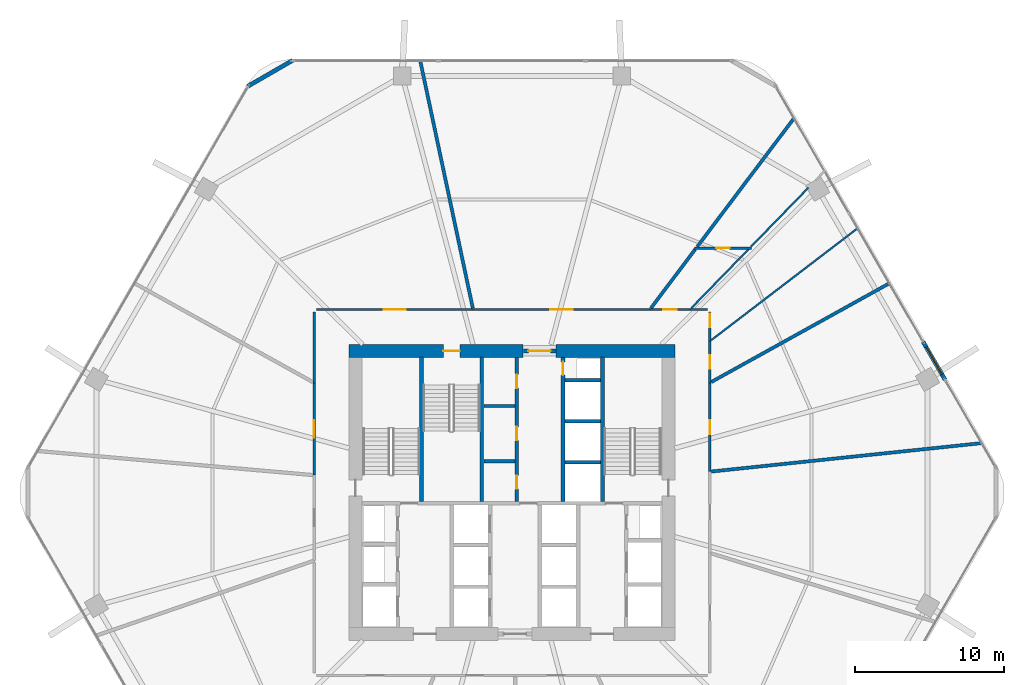
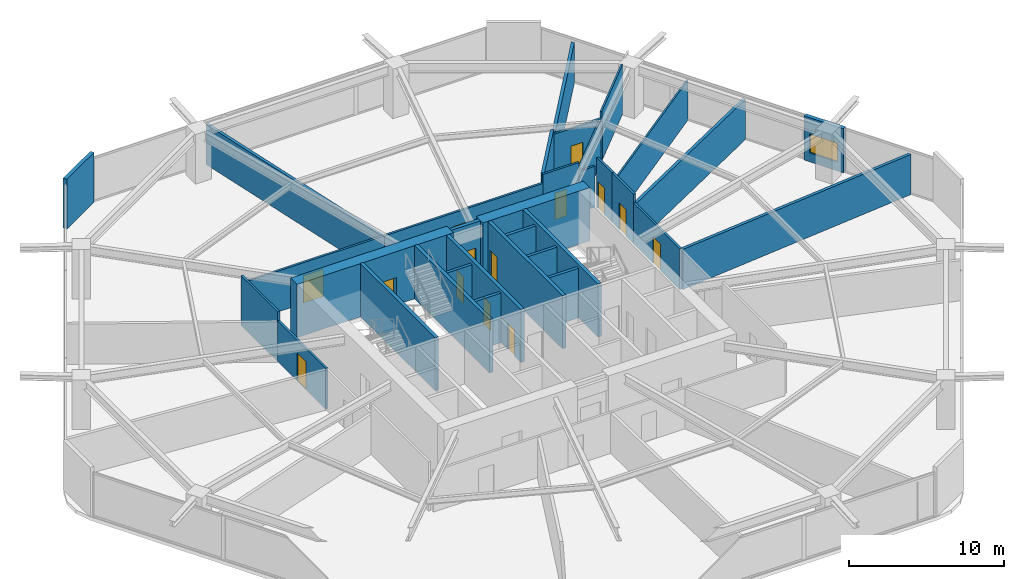
# One storey, part 23 of 25: 33 walls, 14 doors, 1 window, 15 openings.
"""IFC4 building model written with IfcOpenShell, lengths in metres."""

from ifc_helpers import new_model, si_unit, direction, frame, frame_2d, origin, place, context, subcontext, project, spatial, rectangle, extrude, material, layer, layer_set, type_object, element, fill, save


model = new_model("IFC4")

# Units and contexts
model_context = context("Model", 3, precision=1e-05, world=origin(), true_north=direction((0.0, 1.0)))
body_context = subcontext(model_context, "Body", "Model", "MODEL_VIEW")
ifc_project = project(units=[si_unit("LENGTHUNIT", "METRE"), si_unit("AREAUNIT", "SQUARE_METRE"), si_unit("VOLUMEUNIT", "CUBIC_METRE"), si_unit("PLANEANGLEUNIT", "RADIAN"), si_unit("MASSUNIT", "GRAM", prefix="KILO")], contexts=[model_context])

# Site, building, storey
site_placement = place(None, origin())
site = spatial("IfcSite", under=ifc_project, at=site_placement, CompositionType="ELEMENT")
building_placement = place(site_placement, origin())
building = spatial("IfcBuilding", under=site, at=building_placement, Name="Zuhravey Tower", CompositionType="ELEMENT")
storey_placement = place(building_placement, frame((0.0, 0.0, 62.39990234375)))
storey = spatial("IfcBuildingStorey", under=building, at=storey_placement, Name="L15", CompositionType="ELEMENT", Elevation=62.39990234375)

# Wall
ifc_material_1 = material(Name="Concrete C60/75", Category="concrete")
ifc_layer_1 = layer(ifc_material_1, 0.85009765625)
ifc_layer_set_1 = layer_set([ifc_layer_1], Name="Concrete C60/75")
wall_type_1 = type_object("IfcWallType", Name="Core Shear Wall 850", PredefinedType="SHEAR", material=ifc_layer_set_1)
wall_1_placement = place(storey_placement, frame((46.925048828125, 41.5, 0.0), z_axis=(0.0, 0.0, 1.0), x_axis=(-1.0, 0.0, 0.0)))
element("IfcWall", 1, at=wall_1_placement, inside=storey, type_object=wall_type_1, Name="L15 North-East Core Shear Wall CW85", PredefinedType="SHEAR", context=body_context, shape_type="SweptSolid", body=[
    extrude(rectangle(XDim=7.97509765625, YDim=0.85009765625, at=frame_2d((3.987548828125, 0.0))), origin(), (0.0, 0.0, 1.0), 4.2001953125),
])

# Wall, opening, door
wall_2_placement = place(storey_placement, frame((36.75, 41.5, 0.0), z_axis=(0.0, 0.0, 1.0), x_axis=(-1.0, 0.0, 0.0)))
wall_2 = element("IfcWall", 2, at=wall_2_placement, inside=storey, type_object=wall_type_1, Name="L15 North-West Core Shear Wall CW85", PredefinedType="SHEAR", context=body_context, shape_type="SweptSolid", body=[
    extrude(rectangle(XDim=11.675048828125, YDim=0.85009765625, at=frame_2d((5.83740234375, 0.0))), origin(), (0.0, 0.0, 1.0), 4.2001953125),
])
opening_1_placement = place(wall_2_placement, frame((4.25, 0.0, 0.0)))
opening_1 = element("IfcOpeningElement", 3, at=opening_1_placement, cuts=wall_2, Name="Opening STD1", PredefinedType="OPENING", context=body_context, shape_type="SweptSolid", body=[
    extrude(rectangle(XDim=1.10009765625, YDim=2.14990234375, at=frame_2d((0.550048828125, 1.074951171875))), frame((0.0, 0.43701171875, 0.0), z_axis=(0.0, -1.0, 0.0), x_axis=(1.0, 0.0, 0.0)), (0.0, 0.0, 1.0), 0.8740234375),
])
ifc_material_2 = material(Name="Galvanised fire-rated steel leaf", Category="steel")
door_type_1 = type_object("IfcDoorType", Name="Protected Stair Fire Door 1100x2150", OperationType="NOTDEFINED", PredefinedType="USERDEFINED", material=ifc_material_2)
door_1_placement = place(opening_1_placement, origin())
door_1 = element("IfcDoor", 4, at=door_1_placement, inside=storey, type_object=door_type_1, Name="L15 Stair ST3 Door", ObjectType="EXITDOOR", OperationType="SINGLE_SWING_LEFT", OverallHeight=2.14990234375, OverallWidth=1.10009765625, PredefinedType="USERDEFINED", context=body_context, shape_type="SweptSolid", body=[
    extrude(rectangle(XDim=1.10009765625, YDim=2.14990234375, at=frame_2d((0.550048828125, 1.074951171875))), frame((0.0, 0.02490234375, 0.0), z_axis=(0.0, -1.0, 0.0), x_axis=(1.0, 0.0, 0.0)), (0.0, 0.0, 1.0), 0.050048828125),
])
fill(opening_1, door_1)

ifc_material_3 = material(Name="Gypsum fire-rated stud partition")
ifc_layer_2 = layer(ifc_material_3, 0.159912109375)
ifc_layer_set_2 = layer_set([ifc_layer_2], Name="Gypsum fire-rated stud partition")
wall_type_2 = type_object("IfcWallType", Name="Corridor Fire Partition 160", PredefinedType="PARTITIONING", material=ifc_layer_set_2)
wall_3_placement = place(storey_placement, frame((49.284912109375, 39.364013671875, 0.0), z_axis=(0.0, 0.0, 1.0), x_axis=(0.0, 1.0, 0.0)))
wall_3 = element("IfcWall", 5, at=wall_3_placement, inside=storey, type_object=wall_type_2, Name="L15 IW16 Partition 019", PredefinedType="PARTITIONING", context=body_context, shape_type="SweptSolid", body=[
    extrude(rectangle(XDim=2.79296875, YDim=0.159912109375, at=frame_2d((1.396484375, 0.0))), origin(), (0.0, 0.0, 1.0), 3.920166015625),
])
opening_2_placement = place(wall_3_placement, frame((0.946533203125, 0.0, 0.0)))
opening_2 = element("IfcOpeningElement", 6, at=opening_2_placement, cuts=wall_3, Name="Opening RSD1", PredefinedType="OPENING", context=body_context, shape_type="SweptSolid", body=[
    extrude(rectangle(XDim=0.89990234375, YDim=2.10009765625, at=frame_2d((0.449951171875, 1.050048828125))), frame((0.0, 0.092041015625, 0.0), z_axis=(0.0, -1.0, 0.0), x_axis=(1.0, 0.0, 0.0)), (0.0, 0.0, 1.0), 0.183837890625),
])
ifc_material_4 = material(Name="Galvanised fire-rated steel access leaf", Category="steel")
door_type_2 = type_object("IfcDoorType", Name="Riser & Shaft Access Fire Door 900x2100", OperationType="NOTDEFINED", PredefinedType="DOOR", material=ifc_material_4)
door_2_placement = place(opening_2_placement, frame((0.89990234375, 0.0, 0.0), z_axis=(0.0, 0.0, 1.0), x_axis=(-1.0, 0.0, 0.0)))
door_2 = element("IfcDoor", 7, at=door_2_placement, inside=storey, type_object=door_type_2, Name="L15 Door 019.1", OperationType="SINGLE_SWING_RIGHT", OverallHeight=2.10009765625, OverallWidth=0.89990234375, PredefinedType="DOOR", context=body_context, shape_type="SweptSolid", body=[
    extrude(rectangle(XDim=0.89990234375, YDim=2.10009765625, at=frame_2d((0.449951171875, 1.050048828125))), frame((0.0, 0.02490234375, 0.0), z_axis=(0.0, -1.0, 0.0), x_axis=(1.0, 0.0, 0.0)), (0.0, 0.0, 1.0), 0.050048828125),
])
fill(opening_2, door_2)

wall_4_placement = place(storey_placement, frame((49.284912109375, 42.156982421875, 0.0), z_axis=(0.0, 0.0, 1.0), x_axis=(0.0, 1.0, 0.0)))
wall_4 = element("IfcWall", 8, at=wall_4_placement, inside=storey, type_object=wall_type_2, Name="L15 IW16 Partition 020", PredefinedType="PARTITIONING", context=body_context, shape_type="SweptSolid", body=[
    extrude(rectangle(XDim=1.968017578125, YDim=0.159912109375, at=frame_2d((0.98388671875, 0.0))), origin(), (0.0, 0.0, 1.0), 3.920166015625),
])
opening_3_placement = place(wall_4_placement, frame((0.927978515625, 0.0, 0.0)))
opening_3 = element("IfcOpeningElement", 9, at=opening_3_placement, cuts=wall_4, Name="Opening RSD1", PredefinedType="OPENING", context=body_context, shape_type="SweptSolid", body=[
    extrude(rectangle(XDim=0.89990234375, YDim=2.10009765625, at=frame_2d((0.449951171875, 1.050048828125))), frame((0.0, 0.092041015625, 0.0), z_axis=(0.0, -1.0, 0.0), x_axis=(1.0, 0.0, 0.0)), (0.0, 0.0, 1.0), 0.183837890625),
])
door_3_placement = place(opening_3_placement, frame((0.89990234375, 0.0, 0.0), z_axis=(0.0, 0.0, 1.0), x_axis=(-1.0, 0.0, 0.0)))
door_3 = element("IfcDoor", 10, at=door_3_placement, inside=storey, type_object=door_type_2, Name="L15 Door 020.1", OperationType="SINGLE_SWING_LEFT", OverallHeight=2.10009765625, OverallWidth=0.89990234375, PredefinedType="DOOR", context=body_context, shape_type="SweptSolid", body=[
    extrude(rectangle(XDim=0.89990234375, YDim=2.10009765625, at=frame_2d((0.449951171875, 1.050048828125))), frame((0.0, 0.02490234375, 0.0), z_axis=(0.0, -1.0, 0.0), x_axis=(1.0, 0.0, 0.0)), (0.0, 0.0, 1.0), 0.050048828125),
])
fill(opening_3, door_3)

wall_5_placement = place(storey_placement, frame((48.261962890625, 48.405029296875, 0.0), z_axis=(0.0, 0.0, 1.0), x_axis=(1.0, 0.0, 0.0)))
wall_5 = element("IfcWall", 11, at=wall_5_placement, inside=storey, type_object=wall_type_2, Name="L15 IW16 Partition 021", PredefinedType="PARTITIONING", context=body_context, shape_type="SweptSolid", body=[
    extrude(rectangle(XDim=3.802734375, YDim=0.159912109375, at=frame_2d((1.9013671875, 0.0))), origin(), (0.0, 0.0, 1.0), 3.47021484375),
])
opening_4_placement = place(wall_5_placement, frame((1.451416015625, 0.0, 0.0)))
opening_4 = element("IfcOpeningElement", 12, at=opening_4_placement, cuts=wall_5, Name="Opening RSD1", PredefinedType="OPENING", context=body_context, shape_type="SweptSolid", body=[
    extrude(rectangle(XDim=0.89990234375, YDim=2.10009765625, at=frame_2d((0.449951171875, 1.050048828125))), frame((0.0, 0.092041015625, 0.0), z_axis=(0.0, -1.0, 0.0), x_axis=(1.0, 0.0, 0.0)), (0.0, 0.0, 1.0), 0.183837890625),
])
door_4_placement = place(opening_4_placement, origin())
door_4 = element("IfcDoor", 13, at=door_4_placement, inside=storey, type_object=door_type_2, Name="L15 Door 021.1", OperationType="SINGLE_SWING_RIGHT", OverallHeight=2.10009765625, OverallWidth=0.89990234375, PredefinedType="DOOR", context=body_context, shape_type="SweptSolid", body=[
    extrude(rectangle(XDim=0.89990234375, YDim=2.10009765625, at=frame_2d((0.449951171875, 1.050048828125))), frame((0.0, 0.02490234375, 0.0), z_axis=(0.0, -1.0, 0.0), x_axis=(1.0, 0.0, 0.0)), (0.0, 0.0, 1.0), 0.050048828125),
])
fill(opening_4, door_4)

wall_6_placement = place(storey_placement, frame((47.946533203125, 44.284912109375, 0.0), z_axis=(0.0, 0.0, 1.0), x_axis=(-1.0, 0.0, 0.0)))
wall_6 = element("IfcWall", 14, at=wall_6_placement, inside=storey, type_object=wall_type_2, Name="L15 IW16 Partition 022", PredefinedType="PARTITIONING", context=body_context, shape_type="SweptSolid", body=[
    extrude(rectangle(XDim=2.689208984375, YDim=0.159912109375, at=frame_2d((1.3447265625, 0.0))), origin(), (0.0, 0.0, 1.0), 3.920166015625),
])
opening_5_placement = place(wall_6_placement, frame((0.89453125, 0.0, 0.0)))
opening_5 = element("IfcOpeningElement", 15, at=opening_5_placement, cuts=wall_6, Name="Opening RSD1", PredefinedType="OPENING", context=body_context, shape_type="SweptSolid", body=[
    extrude(rectangle(XDim=0.89990234375, YDim=2.10009765625, at=frame_2d((0.449951171875, 1.050048828125))), frame((0.0, 0.092041015625, 0.0), z_axis=(0.0, -1.0, 0.0), x_axis=(1.0, 0.0, 0.0)), (0.0, 0.0, 1.0), 0.183837890625),
])
door_5_placement = place(opening_5_placement, frame((0.89990234375, 0.0, 0.0), z_axis=(0.0, 0.0, 1.0), x_axis=(-1.0, 0.0, 0.0)))
door_5 = element("IfcDoor", 16, at=door_5_placement, inside=storey, type_object=door_type_2, Name="L15 Door 022.1", OperationType="SINGLE_SWING_LEFT", OverallHeight=2.10009765625, OverallWidth=0.89990234375, PredefinedType="DOOR", context=body_context, shape_type="SweptSolid", body=[
    extrude(rectangle(XDim=0.89990234375, YDim=2.10009765625, at=frame_2d((0.449951171875, 1.050048828125))), frame((0.0, 0.02490234375, 0.0), z_axis=(0.0, -1.0, 0.0), x_axis=(1.0, 0.0, 0.0)), (0.0, 0.0, 1.0), 0.050048828125),
])
fill(opening_5, door_5)

wall_7_placement = place(storey_placement, frame((45.25732421875, 44.284912109375, 0.0), z_axis=(0.0, 0.0, 1.0), x_axis=(-1.0, 0.0, 0.0)))
wall_7 = element("IfcWall", 17, at=wall_7_placement, inside=storey, type_object=wall_type_2, Name="L15 IW16 Partition 023", PredefinedType="PARTITIONING", context=body_context, shape_type="SweptSolid", body=[
    extrude(rectangle(XDim=11.86865234375, YDim=0.159912109375, at=frame_2d((5.934326171875, 0.0))), origin(), (0.0, 0.0, 1.0), 3.22021484375),
])
opening_6_placement = place(wall_7_placement, frame((5.184326171875, 0.0, 0.0)))
opening_6 = element("IfcOpeningElement", 18, at=opening_6_placement, cuts=wall_7, Name="Opening FFD1", PredefinedType="OPENING", context=body_context, shape_type="SweptSolid", body=[
    extrude(rectangle(XDim=1.5, YDim=2.14990234375, at=frame_2d((0.75, 1.074951171875))), frame((0.0, 0.092041015625, 0.0), z_axis=(0.0, -1.0, 0.0), x_axis=(1.0, 0.0, 0.0)), (0.0, 0.0, 1.0), 0.183837890625),
])
door_type_3 = type_object("IfcDoorType", Name="Firefighting Lobby Double Door 1500x2150", OperationType="DOUBLE_DOOR_SINGLE_SWING", PredefinedType="DOOR", material=ifc_material_2)
door_6_placement = place(opening_6_placement, frame((1.5, 0.0, 0.0), z_axis=(0.0, 0.0, 1.0), x_axis=(-1.0, 0.0, 0.0)))
door_6 = element("IfcDoor", 19, at=door_6_placement, inside=storey, type_object=door_type_3, Name="L15 Door 023.1", OperationType="DOUBLE_DOOR_SINGLE_SWING", OverallHeight=2.14990234375, OverallWidth=1.5, PredefinedType="DOOR", context=body_context, shape_type="SweptSolid", body=[
    extrude(rectangle(XDim=1.5, YDim=2.14990234375, at=frame_2d((0.75, 1.074951171875))), frame((0.0, 0.02490234375, 0.0), z_axis=(0.0, -1.0, 0.0), x_axis=(1.0, 0.0, 0.0)), (0.0, 0.0, 1.0), 0.050048828125),
])
fill(opening_6, door_6)

wall_8_placement = place(storey_placement, frame((33.388671875, 44.284912109375, 0.0), z_axis=(0.0, 0.0, 1.0), x_axis=(-1.0, 0.0, 0.0)))
wall_8 = element("IfcWall", 20, at=wall_8_placement, inside=storey, type_object=wall_type_2, Name="L15 IW16 Partition 024", PredefinedType="PARTITIONING", context=body_context, shape_type="SweptSolid", body=[
    extrude(rectangle(XDim=10.513671875, YDim=0.159912109375, at=frame_2d((5.2568359375, 0.0))), origin(), (0.0, 0.0, 1.0), 3.22021484375),
])
opening_7_placement = place(wall_8_placement, frame((4.5068359375, 0.0, 0.0)))
opening_7 = element("IfcOpeningElement", 21, at=opening_7_placement, cuts=wall_8, Name="Opening FFD1", PredefinedType="OPENING", context=body_context, shape_type="SweptSolid", body=[
    extrude(rectangle(XDim=1.5, YDim=2.14990234375, at=frame_2d((0.75, 1.074951171875))), frame((0.0, 0.092041015625, 0.0), z_axis=(0.0, -1.0, 0.0), x_axis=(1.0, 0.0, 0.0)), (0.0, 0.0, 1.0), 0.183837890625),
])
door_7_placement = place(opening_7_placement, frame((1.5, 0.0, 0.0), z_axis=(0.0, 0.0, 1.0), x_axis=(-1.0, 0.0, 0.0)))
door_7 = element("IfcDoor", 22, at=door_7_placement, inside=storey, type_object=door_type_3, Name="L15 Door 024.1", OperationType="DOUBLE_DOOR_SINGLE_SWING", OverallHeight=2.14990234375, OverallWidth=1.5, PredefinedType="DOOR", context=body_context, shape_type="SweptSolid", body=[
    extrude(rectangle(XDim=1.5, YDim=2.14990234375, at=frame_2d((0.75, 1.074951171875))), frame((0.0, 0.02490234375, 0.0), z_axis=(0.0, -1.0, 0.0), x_axis=(1.0, 0.0, 0.0)), (0.0, 0.0, 1.0), 0.050048828125),
])
fill(opening_7, door_7)

wall_9_placement = place(storey_placement, frame((22.715087890625, 39.364013671875, 0.0), z_axis=(0.0, 0.0, 1.0), x_axis=(0.0, -1.0, 0.0)))
wall_9 = element("IfcWall", 23, at=wall_9_placement, inside=storey, type_object=wall_type_2, Name="L15 IW16 Partition 025", PredefinedType="PARTITIONING", context=body_context, shape_type="SweptSolid", body=[
    extrude(rectangle(XDim=6.20166015625, YDim=0.159912109375, at=frame_2d((3.100830078125, 0.0))), origin(), (0.0, 0.0, 1.0), 3.22021484375),
])
opening_8_placement = place(wall_9_placement, frame((2.52587890625, 0.0, 0.0)))
opening_8 = element("IfcOpeningElement", 24, at=opening_8_placement, cuts=wall_9, Name="Opening CLD1", PredefinedType="OPENING", context=body_context, shape_type="SweptSolid", body=[
    extrude(rectangle(XDim=1.14990234375, YDim=2.199951171875, at=frame_2d((0.574951171875, 1.10009765625))), frame((0.0, 0.092041015625, 0.0), z_axis=(0.0, -1.0, 0.0), x_axis=(1.0, 0.0, 0.0)), (0.0, 0.0, 1.0), 0.183837890625),
])
ifc_material_5 = material(Name="Acoustic timber leaf with vision lite", Category="wood")
door_type_4 = type_object("IfcDoorType", Name="Classroom Acoustic Door 1150x2200", OperationType="NOTDEFINED", PredefinedType="DOOR", material=ifc_material_5)
door_8_placement = place(opening_8_placement, frame((1.14990234375, 0.0, 0.0), z_axis=(0.0, 0.0, 1.0), x_axis=(-1.0, 0.0, 0.0)))
door_8 = element("IfcDoor", 25, at=door_8_placement, inside=storey, type_object=door_type_4, Name="L15 Door 025.1", OperationType="SINGLE_SWING_RIGHT", OverallHeight=2.199951171875, OverallWidth=1.14990234375, PredefinedType="DOOR", context=body_context, shape_type="SweptSolid", body=[
    extrude(rectangle(XDim=1.14990234375, YDim=2.199951171875, at=frame_2d((0.574951171875, 1.10009765625))), frame((0.0, 0.02490234375, 0.0), z_axis=(0.0, -1.0, 0.0), x_axis=(1.0, 0.0, 0.0)), (0.0, 0.0, 1.0), 0.050048828125),
])
fill(opening_8, door_8)

wall_10_placement = place(storey_placement, frame((49.284912109375, 33.396240234375, 0.0), z_axis=(0.0, 0.0, 1.0), x_axis=(0.0, 1.0, 0.0)))
wall_10 = element("IfcWall", 26, at=wall_10_placement, inside=storey, type_object=wall_type_2, Name="L15 IW16 Partition 032", PredefinedType="PARTITIONING", context=body_context, shape_type="SweptSolid", body=[
    extrude(rectangle(XDim=5.9677734375, YDim=0.159912109375, at=frame_2d((2.98388671875, 0.0))), origin(), (0.0, 0.0, 1.0), 3.22021484375),
])
opening_9_placement = place(wall_10_placement, frame((2.5087890625, 0.0, 0.0)))
opening_9 = element("IfcOpeningElement", 27, at=opening_9_placement, cuts=wall_10, Name="Opening IND1", PredefinedType="OPENING", context=body_context, shape_type="SweptSolid", body=[
    extrude(rectangle(XDim=0.949951171875, YDim=2.10009765625, at=frame_2d((0.47509765625, 1.050048828125))), frame((0.0, 0.092041015625, 0.0), z_axis=(0.0, -1.0, 0.0), x_axis=(1.0, 0.0, 0.0)), (0.0, 0.0, 1.0), 0.183837890625),
])
ifc_material_6 = material(Name="Painted engineered timber leaf", Category="wood")
door_type_5 = type_object("IfcDoorType", Name="Internal Room & Bedroom Door 950x2100", OperationType="NOTDEFINED", PredefinedType="DOOR", material=ifc_material_6)
door_9_placement = place(opening_9_placement, frame((0.949951171875, 0.0, 0.0), z_axis=(0.0, 0.0, 1.0), x_axis=(-1.0, 0.0, 0.0)))
door_9 = element("IfcDoor", 28, at=door_9_placement, inside=storey, type_object=door_type_5, Name="L15 Door 032.1", OperationType="SINGLE_SWING_LEFT", OverallHeight=2.10009765625, OverallWidth=0.949951171875, PredefinedType="DOOR", context=body_context, shape_type="SweptSolid", body=[
    extrude(rectangle(XDim=0.949951171875, YDim=2.10009765625, at=frame_2d((0.47509765625, 1.050048828125))), frame((0.0, 0.02490234375, 0.0), z_axis=(0.0, -1.0, 0.0), x_axis=(1.0, 0.0, 0.0)), (0.0, 0.0, 1.0), 0.050048828125),
])
fill(opening_9, door_9)

# Walls
wall_11_placement = place(storey_placement, frame((49.125, 44.284912109375, 0.0), z_axis=(0.0, 0.0, 1.0), x_axis=(-1.0, 0.0, 0.0)))
element("IfcWall", 29, at=wall_11_placement, inside=storey, type_object=wall_type_2, Name="L15 IW16 Partition 044", PredefinedType="PARTITIONING", context=body_context, shape_type="SweptSolid", body=[
    extrude(rectangle(XDim=1.178466796875, YDim=0.159912109375, at=frame_2d((0.58935546875, 0.0))), origin(), (0.0, 0.0, 1.0), 3.22021484375),
])
wall_12_placement = place(storey_placement, frame((22.715087890625, 44.125, 0.0), z_axis=(0.0, 0.0, 1.0), x_axis=(0.0, -1.0, 0.0)))
element("IfcWall", 30, at=wall_12_placement, inside=storey, type_object=wall_type_2, Name="L15 IW16 Partition 051", PredefinedType="PARTITIONING", context=body_context, shape_type="SweptSolid", body=[
    extrude(rectangle(XDim=4.760986328125, YDim=0.159912109375, at=frame_2d((2.38037109375, 0.0))), origin(), (0.0, 0.0, 1.0), 3.920166015625),
])
ifc_material_7 = material(Name="Precast concrete C40/50", Category="concrete")
ifc_layer_3 = layer(ifc_material_7, 0.280029296875)
ifc_layer_set_3 = layer_set([ifc_layer_3], Name="Precast concrete C40/50")
wall_type_3 = type_object("IfcWallType", Name="Crown Architectural Wall 280", PredefinedType="SOLIDWALL", material=ifc_layer_set_3)
wall_13_placement = place(storey_placement, frame((18.23876953125, 59.24853515625, 0.0), z_axis=(0.0, 0.0, 1.0), x_axis=(0.866007452331, 0.500031091541, 0.0)))
element("IfcWall", 31, at=wall_13_placement, inside=storey, type_object=wall_type_3, Name="L15 Rounded Corner Closure Wall EW28-08", PredefinedType="SOLIDWALL", context=body_context, shape_type="SweptSolid", body=[
    extrude(rectangle(XDim=3.514892578125, YDim=0.280029296875, at=frame_2d((1.75732421875, 0.0))), origin(), (0.0, 0.0, 1.0), 3.920166015625),
])

# Wall, opening, window
wall_14_placement = place(storey_placement, frame((63.599609375, 42.113037109375, 0.0), z_axis=(0.0, 0.0, 1.0), x_axis=(0.499988418424, -0.866032090307, 0.0)))
wall_14 = element("IfcWall", 32, at=wall_14_placement, inside=storey, type_object=wall_type_3, Name="L15 Face 1 Facade Pier EW28-1", PredefinedType="SOLIDWALL", context=body_context, shape_type="SweptSolid", body=[
    extrude(rectangle(XDim=2.93994140625, YDim=0.280029296875, at=frame_2d((1.469970703125, 0.0))), origin(), (0.0, 0.0, 1.0), 3.4921875),
])
opening_10_placement = place(wall_14_placement, frame((0.419921875, 0.0, 0.699951171875)))
opening_10 = element("IfcOpeningElement", 33, at=opening_10_placement, cuts=wall_14, Name="Opening WN3", PredefinedType="OPENING", context=body_context, shape_type="SweptSolid", body=[
    extrude(rectangle(XDim=2.10009765625, YDim=1.5, at=frame_2d((1.050048828125, 0.75))), frame((0.0, 0.152099609375, 0.0), z_axis=(0.0, -1.0, 0.0), x_axis=(1.0, 0.0, 0.0)), (0.0, 0.0, 1.0), 0.303955078125),
])
ifc_material_8 = material(Name="Thermally broken aluminium and triple low-E glass", Category="aluminium")
window_type = type_object("IfcWindowType", Name="School Pavilion Window 2100x1500", PartitioningType="SINGLE_PANEL", PredefinedType="WINDOW", material=ifc_material_8)
window_placement = place(opening_10_placement, origin())
window = element("IfcWindow", 34, at=window_placement, inside=storey, type_object=window_type, Name="L15 Face 1 Feature Window", OverallHeight=1.5, OverallWidth=2.10009765625, PartitioningType="SINGLE_PANEL", PredefinedType="WINDOW", context=body_context, shape_type="SweptSolid", body=[
    extrude(rectangle(XDim=2.10009765625, YDim=1.5, at=frame_2d((1.050048828125, 0.75))), frame((0.0, 0.030029296875, 0.0), z_axis=(0.0, -1.0, 0.0), x_axis=(1.0, 0.0, 0.0)), (0.0, 0.0, 1.0), 0.06005859375),
])
fill(opening_10, window)

# Wall, opening, door
ifc_material_9 = material(Name="Concrete C50/60", Category="concrete")
ifc_layer_4 = layer(ifc_material_9, 0.25)
ifc_layer_set_4 = layer_set([ifc_layer_4], Name="Concrete C50/60")
wall_type_4 = type_object("IfcWallType", Name="Firefighting Shaft & Stair Wall 250", PredefinedType="SOLIDWALL", material=ifc_layer_set_4)
wall_15_placement = place(storey_placement, frame((36.760009765625, 41.5, 0.0), z_axis=(0.0, 0.0, 1.0), x_axis=(1.0, 0.0, 0.0)))
wall_15 = element("IfcWall", 35, at=wall_15_placement, inside=storey, type_object=wall_type_4, Name="L15 FW25 Shaft Wall 002", PredefinedType="SOLIDWALL", context=body_context, shape_type="SweptSolid", body=[
    extrude(rectangle(XDim=2.179931640625, YDim=0.25, at=frame_2d((1.08984375, 0.0))), origin(), (0.0, 0.0, 1.0), 4.2001953125),
])
opening_11_placement = place(wall_15_placement, frame((0.340087890625, 0.0, 0.0)))
opening_11 = element("IfcOpeningElement", 36, at=opening_11_placement, cuts=wall_15, Name="Opening FFD1", PredefinedType="OPENING", context=body_context, shape_type="SweptSolid", body=[
    extrude(rectangle(XDim=1.5, YDim=2.14990234375, at=frame_2d((0.75, 1.074951171875))), frame((0.0, 0.136962890625, 0.0), z_axis=(0.0, -1.0, 0.0), x_axis=(1.0, 0.0, 0.0)), (0.0, 0.0, 1.0), 0.27392578125),
])
door_10_placement = place(opening_11_placement, origin())
door_10 = element("IfcDoor", 37, at=door_10_placement, inside=storey, type_object=door_type_3, Name="L15 North Lift Lobby Exit Door", OperationType="DOUBLE_DOOR_SINGLE_SWING", OverallHeight=2.14990234375, OverallWidth=1.5, PredefinedType="DOOR", context=body_context, shape_type="SweptSolid", body=[
    extrude(rectangle(XDim=1.5, YDim=2.14990234375, at=frame_2d((0.75, 1.074951171875))), frame((0.0, 0.02490234375, 0.0), z_axis=(0.0, -1.0, 0.0), x_axis=(1.0, 0.0, 0.0)), (0.0, 0.0, 1.0), 0.050048828125),
])
fill(opening_11, door_10)

# Walls
for number, where, z_axis, x_axis, name in (
    (38, (29.925048828125, 31.39990234375, 0.0), (0.0, 0.0, 1.0), (0.0, 1.0, 0.0), "L15 FW25 Shaft Wall 004"),
    (39, (33.97509765625, 31.39990234375, 0.0), (0.0, 0.0, 1.0), (0.0, 1.0, 0.0), "L15 FW25 Shaft Wall 005"),
    (40, (42.074951171875, 31.39990234375, 0.0), (0.0, 0.0, 1.0), (0.0, 1.0, 0.0), "L15 FW25 Shaft Wall 006"),
):
    element("IfcWall", number, at=place(storey_placement, frame(where, z_axis=z_axis, x_axis=x_axis)), inside=storey, type_object=wall_type_4, Name=name, PredefinedType="SOLIDWALL", context=body_context, shape_type="SweptSolid", body=[
        extrude(rectangle(XDim=9.7001953125, YDim=0.25, at=frame_2d((4.85009765625, 0.0))), origin(), (0.0, 0.0, 1.0), 4.2001953125),
    ])

# Wall, openings, doors
wall_16_placement = place(storey_placement, frame((36.324951171875, 31.39990234375, 0.0), z_axis=(0.0, 0.0, 1.0), x_axis=(0.0, 1.0, 0.0)))
wall_16 = element("IfcWall", 41, at=wall_16_placement, inside=storey, type_object=wall_type_4, Name="L15 FW25 Shaft Wall 007", PredefinedType="SOLIDWALL", context=body_context, shape_type="SweptSolid", body=[
    extrude(rectangle(XDim=9.650146484375, YDim=0.25, at=frame_2d((4.8251953125, 0.0))), origin(), (0.0, 0.0, 1.0), 4.2001953125),
])
opening_12_placement = place(wall_16_placement, frame((0.840087890625, 0.0, 0.0)))
opening_12 = element("IfcOpeningElement", 42, at=opening_12_placement, cuts=wall_16, Name="Opening RSD1", PredefinedType="OPENING", context=body_context, shape_type="SweptSolid", body=[
    extrude(rectangle(XDim=0.89990234375, YDim=2.10009765625, at=frame_2d((0.449951171875, 1.050048828125))), frame((0.0, 0.136962890625, 0.0), z_axis=(0.0, -1.0, 0.0), x_axis=(1.0, 0.0, 0.0)), (0.0, 0.0, 1.0), 0.27392578125),
])
opening_13_placement = place(wall_16_placement, frame((4.10009765625, 0.0, 0.0)))
opening_13 = element("IfcOpeningElement", 43, at=opening_13_placement, cuts=wall_16, Name="Opening RSD1", PredefinedType="OPENING", context=body_context, shape_type="SweptSolid", body=[
    extrude(rectangle(XDim=0.89990234375, YDim=2.10009765625, at=frame_2d((0.449951171875, 1.050048828125))), frame((0.0, 0.136962890625, 0.0), z_axis=(0.0, -1.0, 0.0), x_axis=(1.0, 0.0, 0.0)), (0.0, 0.0, 1.0), 0.27392578125),
])
opening_14_placement = place(wall_16_placement, frame((7.610107421875, 0.0, 0.0)))
opening_14 = element("IfcOpeningElement", 44, at=opening_14_placement, cuts=wall_16, Name="Opening RSD1", PredefinedType="OPENING", context=body_context, shape_type="SweptSolid", body=[
    extrude(rectangle(XDim=0.89990234375, YDim=2.10009765625, at=frame_2d((0.449951171875, 1.050048828125))), frame((0.0, 0.136962890625, 0.0), z_axis=(0.0, -1.0, 0.0), x_axis=(1.0, 0.0, 0.0)), (0.0, 0.0, 1.0), 0.27392578125),
])
door_11_placement = place(opening_12_placement, origin())
door_11 = element("IfcDoor", 45, at=door_11_placement, inside=storey, type_object=door_type_2, Name="L15 Core Staff WC Door", OperationType="SINGLE_SWING_LEFT", OverallHeight=2.10009765625, OverallWidth=0.89990234375, PredefinedType="DOOR", context=body_context, shape_type="SweptSolid", body=[
    extrude(rectangle(XDim=0.89990234375, YDim=2.10009765625, at=frame_2d((0.449951171875, 1.050048828125))), frame((0.0, 0.02490234375, 0.0), z_axis=(0.0, -1.0, 0.0), x_axis=(1.0, 0.0, 0.0)), (0.0, 0.0, 1.0), 0.050048828125),
])
fill(opening_12, door_11)
door_12_placement = place(opening_13_placement, origin())
door_12 = element("IfcDoor", 46, at=door_12_placement, inside=storey, type_object=door_type_2, Name="L15 IT and Comms Room Door", OperationType="SINGLE_SWING_RIGHT", OverallHeight=2.10009765625, OverallWidth=0.89990234375, PredefinedType="DOOR", context=body_context, shape_type="SweptSolid", body=[
    extrude(rectangle(XDim=0.89990234375, YDim=2.10009765625, at=frame_2d((0.449951171875, 1.050048828125))), frame((0.0, 0.02490234375, 0.0), z_axis=(0.0, -1.0, 0.0), x_axis=(1.0, 0.0, 0.0)), (0.0, 0.0, 1.0), 0.050048828125),
])
fill(opening_13, door_12)
door_13_placement = place(opening_14_placement, origin())
door_13 = element("IfcDoor", 47, at=door_13_placement, inside=storey, type_object=door_type_2, Name="L15 Janitor Linen Store Door", OperationType="SINGLE_SWING_LEFT", OverallHeight=2.10009765625, OverallWidth=0.89990234375, PredefinedType="DOOR", context=body_context, shape_type="SweptSolid", body=[
    extrude(rectangle(XDim=0.89990234375, YDim=2.10009765625, at=frame_2d((0.449951171875, 1.050048828125))), frame((0.0, 0.02490234375, 0.0), z_axis=(0.0, -1.0, 0.0), x_axis=(1.0, 0.0, 0.0)), (0.0, 0.0, 1.0), 0.050048828125),
])
fill(opening_14, door_13)

# Wall, opening, door
wall_17_placement = place(storey_placement, frame((39.425048828125, 31.39990234375, 0.0), z_axis=(0.0, 0.0, 1.0), x_axis=(0.0, 1.0, 0.0)))
wall_17 = element("IfcWall", 48, at=wall_17_placement, inside=storey, type_object=wall_type_4, Name="L15 FW25 Shaft Wall 008", PredefinedType="SOLIDWALL", context=body_context, shape_type="SweptSolid", body=[
    extrude(rectangle(XDim=9.650146484375, YDim=0.25, at=frame_2d((4.8251953125, 0.0))), origin(), (0.0, 0.0, 1.0), 4.2001953125),
])
opening_15_placement = place(wall_17_placement, frame((8.469970703125, 0.0, 0.0)))
opening_15 = element("IfcOpeningElement", 49, at=opening_15_placement, cuts=wall_17, Name="Opening RSD1", PredefinedType="OPENING", context=body_context, shape_type="SweptSolid", body=[
    extrude(rectangle(XDim=0.89990234375, YDim=2.10009765625, at=frame_2d((0.449951171875, 1.050048828125))), frame((0.0, 0.136962890625, 0.0), z_axis=(0.0, -1.0, 0.0), x_axis=(1.0, 0.0, 0.0)), (0.0, 0.0, 1.0), 0.27392578125),
])
door_14_placement = place(opening_15_placement, origin())
door_14 = element("IfcDoor", 50, at=door_14_placement, inside=storey, type_object=door_type_2, Name="L15 North Riser Door", OperationType="SINGLE_SWING_RIGHT", OverallHeight=2.10009765625, OverallWidth=0.89990234375, PredefinedType="DOOR", context=body_context, shape_type="SweptSolid", body=[
    extrude(rectangle(XDim=0.89990234375, YDim=2.10009765625, at=frame_2d((0.449951171875, 1.050048828125))), frame((0.0, 0.02490234375, 0.0), z_axis=(0.0, -1.0, 0.0), x_axis=(1.0, 0.0, 0.0)), (0.0, 0.0, 1.0), 0.050048828125),
])
fill(opening_15, door_14)

# Walls
ifc_material_10 = material(Name="Gypsum acoustic stud assembly")
ifc_layer_5 = layer(ifc_material_10, 0.219970703125)
ifc_layer_set_5 = layer_set([ifc_layer_5], Name="Gypsum acoustic stud assembly")
wall_type_5 = type_object("IfcWallType", Name="School Acoustic Compartment Wall 220", PredefinedType="PARTITIONING", material=ifc_layer_set_5)
for number, where, z_axis, x_axis, name in (
    (51, (34.10791015625, 34.10009765625, 0.0), (0.0, 0.0, 1.0), (1.0, 0.0, 0.0), "L15 IW22 Partition 033"),
    (52, (34.10791015625, 37.800048828125, 0.0), (0.0, 0.0, 1.0), (1.0, 0.0, 0.0), "L15 IW22 Partition 034"),
):
    element("IfcWall", number, at=place(storey_placement, frame(where, z_axis=z_axis, x_axis=x_axis)), inside=storey, type_object=wall_type_5, Name=name, PredefinedType="PARTITIONING", context=body_context, shape_type="SweptSolid", body=[
        extrude(rectangle(XDim=2.083984375, YDim=0.219970703125, at=frame_2d((1.0419921875, 0.0))), origin(), (0.0, 0.0, 1.0), 3.920166015625),
    ])
for number, where, z_axis, x_axis, name in (
    (53, (39.55810546875, 34.02490234375, 0.0), (0.0, 0.0, 1.0), (1.0, 0.0, 0.0), "L15 IW22 Partition 035"),
    (54, (39.55810546875, 36.77490234375, 0.0), (0.0, 0.0, 1.0), (1.0, 0.0, 0.0), "L15 IW22 Partition 036"),
    (55, (39.55810546875, 39.52490234375, 0.0), (0.0, 0.0, 1.0), (1.0, 0.0, 0.0), "L15 IW22 Partition 037"),
):
    element("IfcWall", number, at=place(storey_placement, frame(where, z_axis=z_axis, x_axis=x_axis)), inside=storey, type_object=wall_type_5, Name=name, PredefinedType="PARTITIONING", context=body_context, shape_type="SweptSolid", body=[
        extrude(rectangle(XDim=2.3837890625, YDim=0.219970703125, at=frame_2d((1.19189453125, 0.0))), origin(), (0.0, 0.0, 1.0), 3.920166015625),
    ])
wall_18_placement = place(storey_placement, frame((49.373046875, 39.412841796875, 0.0), z_axis=(0.0, 0.0, 1.0), x_axis=(0.874620963666, 0.484807353405, 0.0)))
element("IfcWall", 56, at=wall_18_placement, inside=storey, type_object=wall_type_5, Name="L15 IW22 Partition 042", PredefinedType="PARTITIONING", context=body_context, shape_type="SweptSolid", body=[
    extrude(rectangle(XDim=13.6728515625, YDim=0.219970703125, at=frame_2d((6.83642578125, 0.0))), origin(), (0.0, 0.0, 1.0), 3.170166015625),
])
wall_19_placement = place(storey_placement, frame((45.32373046875, 44.373046875, 0.0), z_axis=(0.0, 0.0, 1.0), x_axis=(0.601817794095, 0.798633421984, 0.0)))
element("IfcWall", 57, at=wall_19_placement, inside=storey, type_object=wall_type_5, Name="L15 IW22 Partition 048", PredefinedType="PARTITIONING", context=body_context, shape_type="SweptSolid", body=[
    extrude(rectangle(XDim=4.938232421875, YDim=0.219970703125, at=frame_2d((2.46923828125, 0.0))), origin(), (0.0, 0.0, 1.0), 3.920166015625),
])
wall_20_placement = place(storey_placement, frame((48.428466796875, 48.492919921875, 0.0), z_axis=(0.0, 0.0, 1.0), x_axis=(0.601802006389, 0.798645318715, 0.0)))
element("IfcWall", 58, at=wall_20_placement, inside=storey, type_object=wall_type_5, Name="L15 IW22 Partition 049", PredefinedType="PARTITIONING", context=body_context, shape_type="SweptSolid", body=[
    extrude(rectangle(XDim=10.807861328125, YDim=0.219970703125, at=frame_2d((5.40380859375, 0.0))), origin(), (0.0, 0.0, 1.0), 3.170166015625),
])
wall_21_placement = place(storey_placement, frame((33.3701171875, 44.373046875, 0.0), z_axis=(0.0, 0.0, 1.0), x_axis=(-0.207914205497, 0.978147066219, 0.0)))
element("IfcWall", 59, at=wall_21_placement, inside=storey, type_object=wall_type_5, Name="L15 IW22 Partition 050", PredefinedType="PARTITIONING", context=body_context, shape_type="SweptSolid", body=[
    extrude(rectangle(XDim=16.9560546875, YDim=0.219970703125, at=frame_2d((8.47802734375, 0.0))), origin(), (0.0, 0.0, 1.0), 3.170166015625),
])
wall_22_placement = place(storey_placement, frame((49.373046875, 33.405517578125, 0.0), z_axis=(0.0, 0.0, 1.0), x_axis=(0.994521492256, 0.104532298553, 0.0)))
element("IfcWall", 60, at=wall_22_placement, inside=storey, type_object=wall_type_5, Name="L15 IW22 Partition 061", PredefinedType="PARTITIONING", context=body_context, shape_type="SweptSolid", body=[
    extrude(rectangle(XDim=18.25244140625, YDim=0.219970703125, at=frame_2d((9.126220703125, 0.0))), origin(), (0.0, 0.0, 1.0), 3.170166015625),
])
ifc_material_11 = material(Name="Gypsum metal-stud partition")
ifc_layer_6 = layer(ifc_material_11, 0.1201171875)
ifc_layer_set_6 = layer_set([ifc_layer_6], Name="Gypsum metal-stud partition")
wall_type_6 = type_object("IfcWallType", Name="Unit Internal Partition 120", PredefinedType="PARTITIONING", material=ifc_layer_set_6)
wall_23_placement = place(storey_placement, frame((49.373046875, 42.224609375, 0.0), z_axis=(0.0, 0.0, 1.0), x_axis=(0.794422824401, 0.607365109362, 0.0)))
element("IfcWall", 61, at=wall_23_placement, inside=storey, type_object=wall_type_6, Name="L15 IW12 Partition 043", PredefinedType="PARTITIONING", context=body_context, shape_type="SweptSolid", body=[
    extrude(rectangle(XDim=12.36767578125, YDim=0.1201171875, at=frame_2d((6.183837890625, 0.0))), origin(), (0.0, 0.0, 1.0), 3.170166015625),
])
wall_24_placement = place(storey_placement, frame((48.0322265625, 44.373046875, 0.0), z_axis=(0.0, 0.0, 1.0), x_axis=(0.697186119011, 0.716890169732, 0.0)))
element("IfcWall", 62, at=wall_24_placement, inside=storey, type_object=wall_type_6, Name="L15 IW12 Partition 045", PredefinedType="PARTITIONING", context=body_context, shape_type="SweptSolid", body=[
    extrude(rectangle(XDim=5.501220703125, YDim=0.1201171875, at=frame_2d((2.75048828125, 0.0))), origin(), (0.0, 0.0, 1.0), 3.47021484375),
])
wall_25_placement = place(storey_placement, frame((52.038818359375, 48.492919921875, 0.0), z_axis=(0.0, 0.0, 1.0), x_axis=(0.697138835877, 0.716936150234, 0.0)))
element("IfcWall", 63, at=wall_25_placement, inside=storey, type_object=wall_type_6, Name="L15 IW12 Partition 046", PredefinedType="PARTITIONING", context=body_context, shape_type="SweptSolid", body=[
    extrude(rectangle(XDim=5.537109375, YDim=0.1201171875, at=frame_2d((2.7685546875, 0.0))), origin(), (0.0, 0.0, 1.0), 3.920166015625),
])

save(model, "model.ifc")
